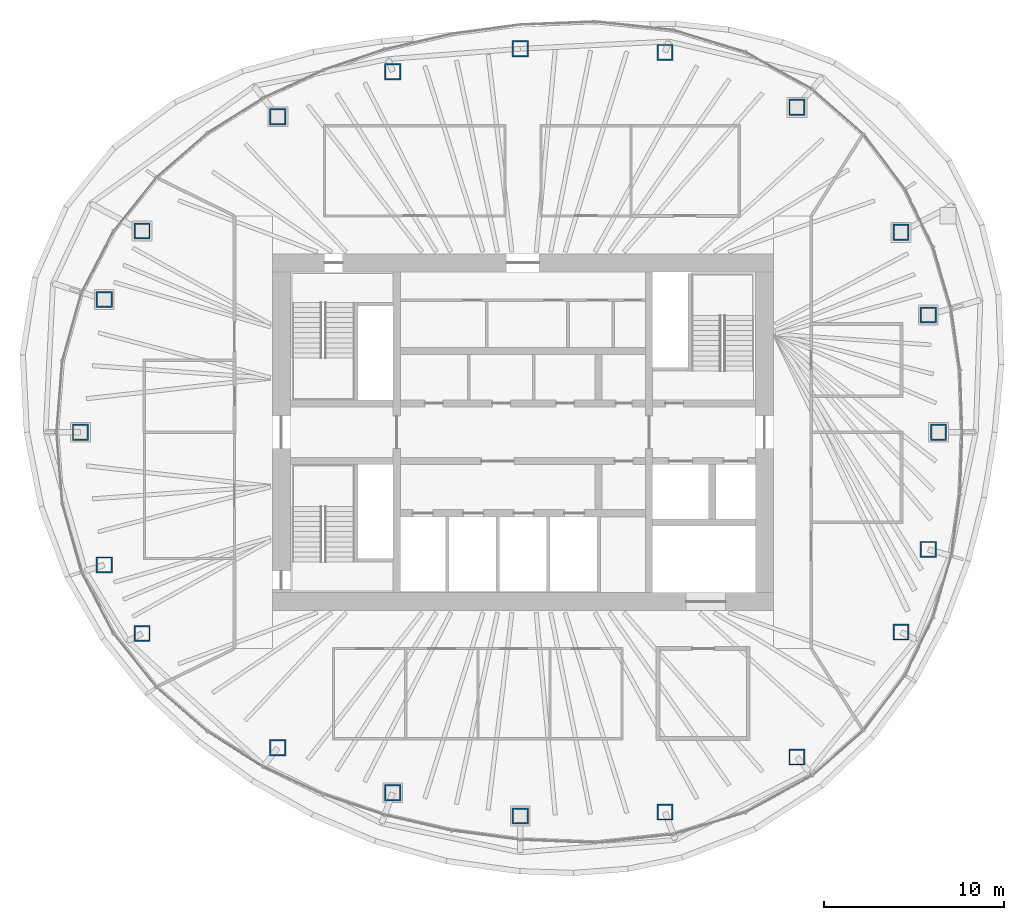
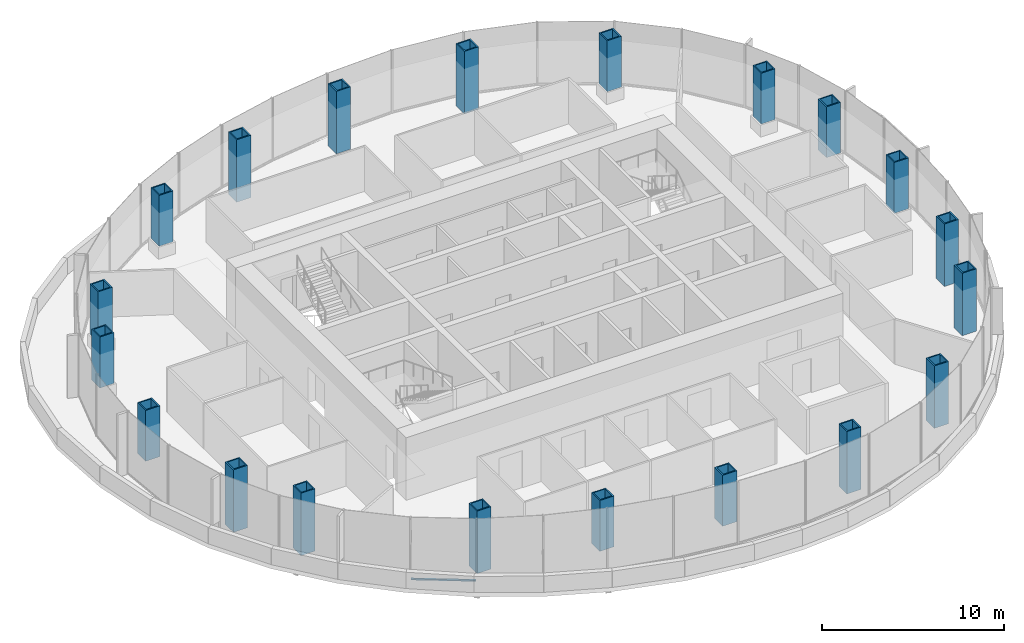
# One storey, part 1 of 13: 20 columns, 1 member, 1 element without a shape of its own.
"""IFC4 building model written with IfcOpenShell, lengths in metres."""

from ifc_helpers import new_model, si_unit, direction, frame, origin, origin_2d, place, context, subcontext, project, spatial, rectangle, hollow_rectangle, extrude, material, material_profile, profile_set, type_object, element, aggregate, save


model = new_model("IFC4")

# Units and contexts
model_context = context("Model", 3, precision=1e-05, world=origin(), true_north=direction((0.0, 1.0)))
body_context = subcontext(model_context, "Body", "Model", "MODEL_VIEW")
ifc_project = project(units=[si_unit("LENGTHUNIT", "METRE"), si_unit("AREAUNIT", "SQUARE_METRE"), si_unit("VOLUMEUNIT", "CUBIC_METRE"), si_unit("PLANEANGLEUNIT", "RADIAN"), si_unit("MASSUNIT", "GRAM", prefix="KILO")], contexts=[model_context])

# Site, building, storey
site_placement = place(None, origin())
site = spatial("IfcSite", under=ifc_project, at=site_placement, CompositionType="ELEMENT")
building_placement = place(site_placement, origin())
building = spatial("IfcBuilding", under=site, at=building_placement, Name="Ghaith Harvest Tower", CompositionType="ELEMENT")
storey_placement = place(building_placement, frame((0.0, 0.0, 271.199951171875)))
storey = spatial("IfcBuildingStorey", under=building, at=storey_placement, Name="L60", CompositionType="ELEMENT", Elevation=271.199951171875)

# Columns
ifc_material_1 = material(Name="Steel S460M", Category="steel")
ifc_material_profile_1 = material_profile(ifc_material_1, hollow_rectangle(XDim=0.89990234375, YDim=0.89990234375, WallThickness=0.080078125, at=origin_2d()), Name="BOX900X900X80")
ifc_profile_set_1 = profile_set([ifc_material_profile_1], Name="Steel S460M")
column_type = type_object("IfcColumnType", Name="TS1 BOX900X900X80", PredefinedType="COLUMN", material=ifc_profile_set_1)
for number, where, z_axis, x_axis, name in (
    (1, (23.050048828125, 0.0, 0.775146484375), (0.0, 0.0, 1.0), (1.0, 0.0, 0.0), "Perimeter column C01"),
    (2, (22.485107421875, 6.4990234375, 0.775146484375), (0.0, 0.0, 1.0), (1.0, 0.0, 0.0), "Perimeter column C02"),
    (3, (20.97705078125, 11.087890625, 0.775146484375), (0.0, 0.0, 1.0), (1.0, 0.0, 0.0), "Perimeter column C03"),
    (4, (15.197998046875, 18.02294921875, 0.775146484375), (0.0, 0.0, 1.0), (1.0, 0.0, 0.0), "Perimeter column C04"),
):
    element("IfcColumn", number, at=place(storey_placement, frame(where, z_axis=z_axis, x_axis=x_axis)), inside=storey, type_object=column_type, Name=name, PredefinedType="COLUMN", context=body_context, shape_type="SweptSolid", body=[
        extrude(hollow_rectangle(XDim=0.89990234375, YDim=0.89990234375, WallThickness=0.080078125, at=origin_2d()), origin(), (0.0, 0.0, 1.0), 3.4248046875),
    ])
for number, where, z_axis, x_axis, name in (
    (5, (7.8779296875, 21.072021484375, 0.0), (0.0, 0.0, 1.0), (1.0, 0.0, 0.0), "Perimeter column C05"),
    (6, (-0.14599609375, 21.27099609375, 0.0), (0.0, 0.0, 1.0), (1.0, 0.0, 0.0), "Perimeter column C06"),
    (7, (-7.221923828125, 19.9970703125, 0.0), (0.0, 0.0, 1.0), (1.0, 0.0, 0.0), "Perimeter column C07"),
):
    element("IfcColumn", number, at=place(storey_placement, frame(where, z_axis=z_axis, x_axis=x_axis)), inside=storey, type_object=column_type, Name=name, PredefinedType="COLUMN", context=body_context, shape_type="SweptSolid", body=[
        extrude(hollow_rectangle(XDim=0.89990234375, YDim=0.89990234375, WallThickness=0.080078125, at=origin_2d()), origin(), (0.0, 0.0, 1.0), 4.199951171875),
    ])
for number, where, z_axis, x_axis, name in (
    (8, (-13.594970703125, 17.5048828125, 0.775146484375), (0.0, 0.0, 1.0), (1.0, 0.0, 0.0), "Perimeter column C08"),
    (9, (-21.125, 11.166015625, 0.775146484375), (0.0, 0.0, 1.0), (1.0, 0.0, 0.0), "Perimeter column C09"),
    (10, (-23.22412109375, 7.360107421875, 0.775146484375), (0.0, 0.0, 1.0), (1.0, 0.0, 0.0), "Perimeter column C10"),
    (11, (-24.550048828125, 0.0, 0.775146484375), (0.0, 0.0, 1.0), (1.0, 0.0, 0.0), "Perimeter column C11"),
):
    element("IfcColumn", number, at=place(storey_placement, frame(where, z_axis=z_axis, x_axis=x_axis)), inside=storey, type_object=column_type, Name=name, PredefinedType="COLUMN", context=body_context, shape_type="SweptSolid", body=[
        extrude(hollow_rectangle(XDim=0.89990234375, YDim=0.89990234375, WallThickness=0.080078125, at=origin_2d()), origin(), (0.0, 0.0, 1.0), 3.4248046875),
    ])
for number, where, z_axis, x_axis, name in (
    (12, (-23.22412109375, -7.360107421875, 0.0), (0.0, 0.0, 1.0), (1.0, 0.0, 0.0), "Perimeter column C12"),
    (13, (-21.125, -11.166015625, 0.0), (0.0, 0.0, 1.0), (1.0, 0.0, 0.0), "Perimeter column C13"),
    (14, (-13.594970703125, -17.5048828125, 0.0), (0.0, 0.0, 1.0), (1.0, 0.0, 0.0), "Perimeter column C14"),
):
    element("IfcColumn", number, at=place(storey_placement, frame(where, z_axis=z_axis, x_axis=x_axis)), inside=storey, type_object=column_type, Name=name, PredefinedType="COLUMN", context=body_context, shape_type="SweptSolid", body=[
        extrude(hollow_rectangle(XDim=0.89990234375, YDim=0.89990234375, WallThickness=0.080078125, at=origin_2d()), origin(), (0.0, 0.0, 1.0), 4.199951171875),
    ])
for number, where, z_axis, x_axis, name in (
    (15, (-7.221923828125, -19.9970703125, 0.775146484375), (0.0, 0.0, 1.0), (1.0, 0.0, 0.0), "Perimeter column C15"),
    (16, (-0.14599609375, -21.285888671875, 0.775146484375), (0.0, 0.0, 1.0), (1.0, 0.0, 0.0), "Perimeter column C16"),
):
    element("IfcColumn", number, at=place(storey_placement, frame(where, z_axis=z_axis, x_axis=x_axis)), inside=storey, type_object=column_type, Name=name, PredefinedType="COLUMN", context=body_context, shape_type="SweptSolid", body=[
        extrude(hollow_rectangle(XDim=0.89990234375, YDim=0.89990234375, WallThickness=0.080078125, at=origin_2d()), origin(), (0.0, 0.0, 1.0), 3.4248046875),
    ])
for number, where, z_axis, x_axis, name in (
    (17, (7.8779296875, -21.072021484375, 0.0), (0.0, 0.0, 1.0), (1.0, 0.0, 0.0), "Perimeter column C17"),
    (18, (15.197998046875, -18.02294921875, 0.0), (0.0, 0.0, 1.0), (1.0, 0.0, 0.0), "Perimeter column C18"),
    (19, (20.97705078125, -11.087890625, 0.0), (0.0, 0.0, 1.0), (1.0, 0.0, 0.0), "Perimeter column C19"),
    (20, (22.485107421875, -6.4990234375, 0.0), (0.0, 0.0, 1.0), (1.0, 0.0, 0.0), "Perimeter column C20"),
):
    element("IfcColumn", number, at=place(storey_placement, frame(where, z_axis=z_axis, x_axis=x_axis)), inside=storey, type_object=column_type, Name=name, PredefinedType="COLUMN", context=body_context, shape_type="SweptSolid", body=[
        extrude(hollow_rectangle(XDim=0.89990234375, YDim=0.89990234375, WallThickness=0.080078125, at=origin_2d()), origin(), (0.0, 0.0, 1.0), 4.199951171875),
    ])

# Curtain wall, member
ifc_material_2 = material(Name="Black anodised aluminium and fritted glass", Category="aluminium")
curtain_wall_type = type_object("IfcCurtainWallType", Name="CW-T CURTAIN WALL", PredefinedType="NOTDEFINED", material=ifc_material_2)
curtain_wall_placement = place(storey_placement, origin())
curtain_wall = element("IfcCurtainWall", 21, at=curtain_wall_placement, inside=storey, type_object=curtain_wall_type, Name="Curtain wall CW-T bay 13 L60", PredefinedType="NOTDEFINED")
ifc_material_3 = material(Name="Aluminium, black anodised", Category="aluminium")
ifc_material_profile_2 = material_profile(ifc_material_3, rectangle(XDim=0.1201171875, YDim=0.080078125, at=origin_2d()), Name="CW-T TRANSOM 120x80")
ifc_profile_set_2 = profile_set([ifc_material_profile_2], Name="Aluminium, black anodised")
member_type = type_object("IfcMemberType", Name="CW-T TRANSOM 120x80", PredefinedType="USERDEFINED", material=ifc_profile_set_2)
member_placement = place(storey_placement, frame((-17.4609375, -16.6220703125, 0.0400390625), z_axis=(0.846053602505, -0.533097835006, 0.0), x_axis=(0.533097835006, 0.846053602505, 0.0)))
member = element("IfcMember", 22, at=member_placement, type_object=member_type, Name="CW-T transom 2 bay 13 L60", ObjectType="TRANSOM", PredefinedType="USERDEFINED", context=body_context, shape_type="SweptSolid", body=[
    extrude(rectangle(XDim=0.1201171875, YDim=0.080078125, at=origin_2d()), origin(), (0.0, 0.0, 1.0), 3.572021484375),
])
aggregate(curtain_wall, [member])

save(model, "model.ifc")
